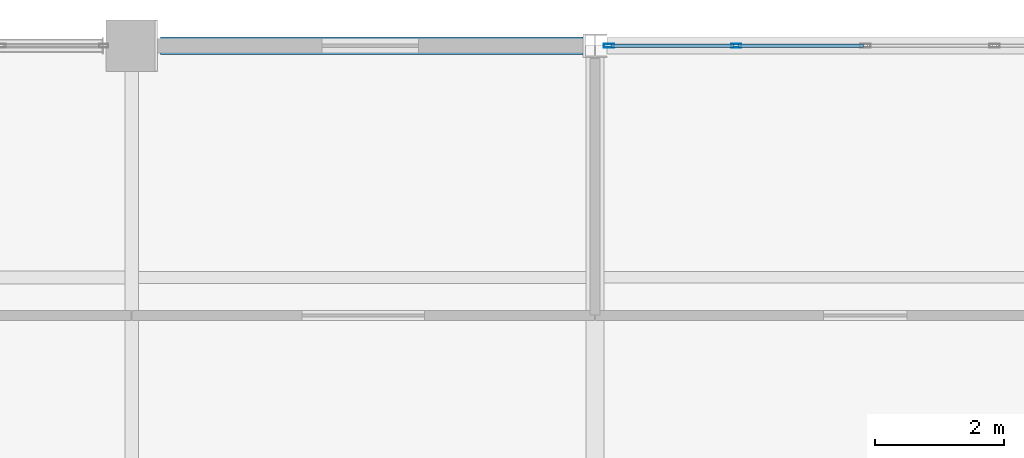
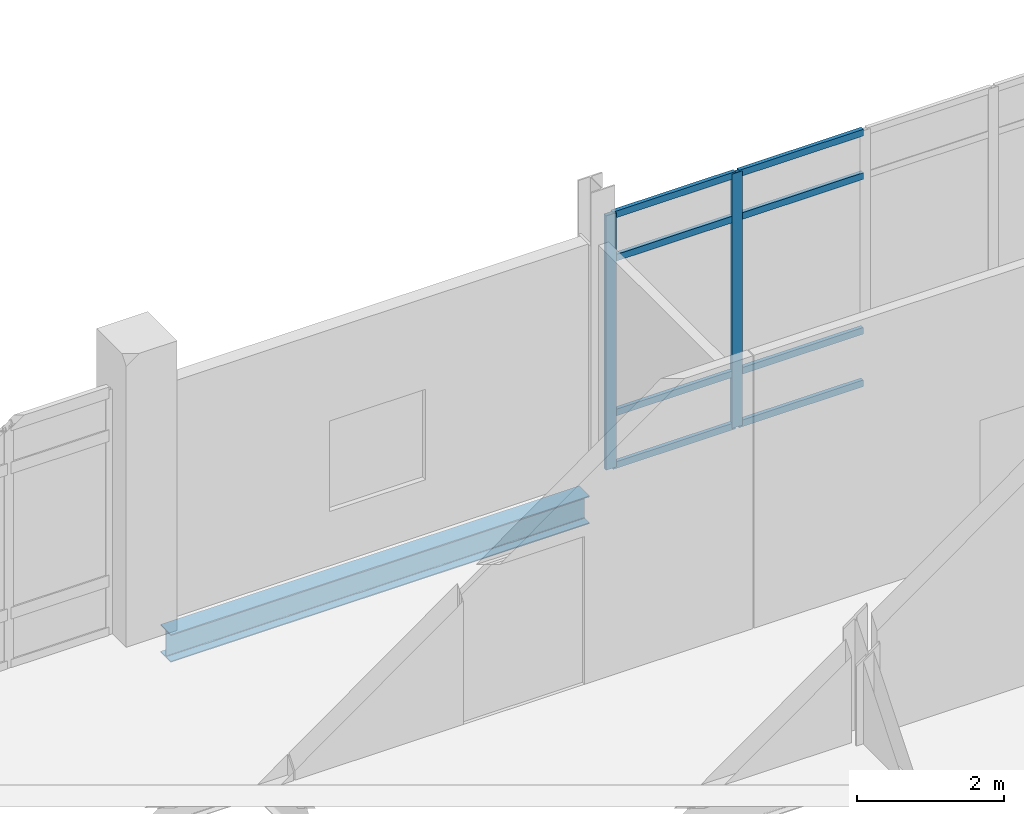
# One storey, part 86 of 186: 10 members, 1 beam, 1 element without a shape of its own.
"""IFC4 building model written with IfcOpenShell, lengths in metres."""

import ifcopenshell
import ifcopenshell.guid

model = None  # the IFC model being written
_history = None  # IfcOwnerHistory: only IFC2X3 demands one
_inside = {}  # id of a spatial element -> (the spatial element, [elements in it])
_under = {}  # id of a project, library or spatial element -> (it, [spatial elements below it])
_declared = {}  # id of a project -> (the project, [libraries it declares])
_typed = {}  # id of a type object -> (the type object, [elements of that type])
_made_of = {}  # id of a material, layer set ... -> (it, [elements and type objects made of it])


def new_model(schema):
    """Start an empty IFC model of exactly this schema.

    Asked for "IFC4X3", IfcOpenShell would pick the latest addendum, in which some entities
    have other attributes; the version numbers below select the first issue.
    IFC2X3 requires an IfcOwnerHistory on every rooted entity: one is made here for all.
    """
    global model, _history
    if schema == "IFC4X3":
        model = ifcopenshell.file(schema_version=(4, 3, 0, 0))
    else:
        model = ifcopenshell.file(schema=schema)
    _inside.clear()
    _under.clear()
    _declared.clear()
    _typed.clear()
    _made_of.clear()
    _history = None
    if model.schema == "IFC2X3":
        org = make("IfcOrganization", Name="unknown")
        user = make(
            "IfcPersonAndOrganization",
            ThePerson=make("IfcPerson", FamilyName="unknown"),
            TheOrganization=org,
        )
        app = make(
            "IfcApplication",
            ApplicationDeveloper=org,
            Version="unknown",
            ApplicationFullName="unknown",
            ApplicationIdentifier="unknown",
        )
        _history = make(
            "IfcOwnerHistory",
            OwningUser=user,
            OwningApplication=app,
            ChangeAction="ADDED",
            CreationDate=0,
        )
    return model


def make(cls, **values):
    """One entity of the class cls with the attributes given. An attribute that is None is left unset."""
    return model.create_entity(
        cls, **{name: value for name, value in values.items() if value is not None}
    )


def rooted(cls, **values):
    """An entity with a GlobalId (a new one), such as an element, a storey or a relation."""
    return make(cls, GlobalId=ifcopenshell.guid.new(), OwnerHistory=_history, **values)


def si_unit(unit_type, name, prefix=None):
    """IfcSIUnit, for example si_unit("LENGTHUNIT", "METRE", prefix="MILLI")."""
    return make("IfcSIUnit", UnitType=unit_type, Prefix=prefix, Name=name)


def assignment(units):
    """IfcUnitAssignment: the units of a project."""
    return None if units is None else make("IfcUnitAssignment", Units=units)


def point(xyz):
    """IfcCartesianPoint."""
    return None if xyz is None else make("IfcCartesianPoint", Coordinates=xyz)


def direction(xyz):
    """IfcDirection."""
    return None if xyz is None else make("IfcDirection", DirectionRatios=xyz)


def frame(location, z_axis=None, x_axis=None):
    """IfcAxis2Placement3D, a coordinate frame: its origin and axes. An axis left out is left unset."""
    return make(
        "IfcAxis2Placement3D",
        Location=point(location),
        Axis=direction(z_axis),
        RefDirection=direction(x_axis),
    )


def frame_2d(location, x_axis=None):
    """IfcAxis2Placement2D, a coordinate frame in the plane: its origin and x axis."""
    return make(
        "IfcAxis2Placement2D", Location=point(location), RefDirection=direction(x_axis)
    )


def origin():
    """The frame at (0, 0, 0) with its axes left unset."""
    return frame((0.0, 0.0, 0.0))


def origin_2d():
    """The frame at (0, 0) in the plane with its x axis left unset."""
    return frame_2d((0.0, 0.0))


def place(relative_to, where):
    """IfcLocalPlacement: puts the frame where relative to a parent placement (None: the world)."""
    return make(
        "IfcLocalPlacement", PlacementRelTo=relative_to, RelativePlacement=where
    )


def context(
    kind, dimensions, precision=None, world=None, true_north=None, identifier=None
):
    """IfcGeometricRepresentationContext, for example the 3D "Model" context."""
    return make(
        "IfcGeometricRepresentationContext",
        ContextIdentifier=identifier,
        ContextType=kind,
        CoordinateSpaceDimension=dimensions,
        Precision=precision,
        WorldCoordinateSystem=world,
        TrueNorth=true_north,
    )


def subcontext(parent, identifier, kind, view, scale=None):
    """IfcGeometricRepresentationSubContext, for example "Body" below "Model"."""
    return make(
        "IfcGeometricRepresentationSubContext",
        ContextIdentifier=identifier,
        ContextType=kind,
        ParentContext=parent,
        TargetScale=scale,
        TargetView=view,
    )


def project(units=None, contexts=None):
    """IfcProject with its units and contexts."""
    return rooted(
        "IfcProject",
        Name="project",
        RepresentationContexts=contexts,
        UnitsInContext=assignment(units),
    )


def spatial(cls, under=None, at=None, **own):
    """A site, building, storey or space (cls), placed at a placement, below another one or the project."""
    s = rooted(cls, ObjectPlacement=at, **own)
    if under is not None:
        _under.setdefault(under.id(), (under, []))[1].append(s)
    return s


def profile(cls, at=None, kind="AREA", **sizes):
    """A parametric profile (cls). Its sizes go by their IFC names, for example OverallWidth=200.0."""
    return make(cls, ProfileType=kind, Position=at, **sizes)


def hollow_rectangle(**sizes):
    """IfcRectangleHollowProfileDef."""
    return profile("IfcRectangleHollowProfileDef", **sizes)


def i_section(**sizes):
    """IfcIShapeProfileDef."""
    return profile("IfcIShapeProfileDef", **sizes)


def extrude(swept, where, along, depth):
    """IfcExtrudedAreaSolid: the profile swept, set in the frame where, extruded along a direction by depth."""
    return make(
        "IfcExtrudedAreaSolid",
        SweptArea=swept,
        Position=where,
        ExtrudedDirection=direction(along),
        Depth=depth,
    )


def shape(context_of_items, identifier, shape_type, items):
    """IfcShapeRepresentation: the items that make up one representation, for example the "Body"."""
    return make(
        "IfcShapeRepresentation",
        ContextOfItems=context_of_items,
        RepresentationIdentifier=identifier,
        RepresentationType=shape_type,
        Items=items,
    )


def material(Name=None, Category=None):
    """IfcMaterial."""
    return make("IfcMaterial", Name=Name, Category=Category)


def layer(
    of_material, thickness, ventilated=None, Name=None, Category=None, Priority=None
):
    """IfcMaterialLayer: one layer of a wall or slab, of a material (None: an air gap)."""
    return make(
        "IfcMaterialLayer",
        Material=of_material,
        LayerThickness=thickness,
        IsVentilated=ventilated,
        Name=Name,
        Category=Category,
        Priority=Priority,
    )


def layer_set(layers, Name=None):
    """IfcMaterialLayerSet."""
    return make("IfcMaterialLayerSet", MaterialLayers=layers, LayerSetName=Name)


def material_profile(
    of_material, cross_section, Name=None, Category=None, Priority=None
):
    """IfcMaterialProfile: a cross section and its material."""
    return make(
        "IfcMaterialProfile",
        Name=Name,
        Material=of_material,
        Profile=cross_section,
        Priority=Priority,
        Category=Category,
    )


def profile_set(profiles, Name=None, composite=None):
    """IfcMaterialProfileSet."""
    return make(
        "IfcMaterialProfileSet",
        Name=Name,
        MaterialProfiles=profiles,
        CompositeProfile=composite,
    )


def made_of(thing, what):
    """Note that an element or type object is made of a material, layer set ...; save() writes the relation."""
    if what is not None:
        _made_of.setdefault(what.id(), (what, []))[1].append(thing)
    return thing


def type_object(cls, material=None, **own):
    """A type object (cls), such as IfcWallType, which elements share."""
    return made_of(rooted(cls, **own), material)


def element(
    cls,
    number,
    at=None,
    inside=None,
    cuts=None,
    type_object=None,
    material=None,
    context=None,
    identifier="Body",
    shape_type=None,
    held_by="IfcProductDefinitionShape",
    body=None,
    shapes=None,
    **own,
):
    """One element of the class cls, such as IfcWall. Its Tag is "e" and its number.

    at: its placement. inside: the storey or other place that contains it. cuts: it is an
    opening in that element (IfcRelVoidsElement). A single representation is given by context,
    identifier, shape_type and body (its items); several are given by shapes. held_by: the class
    of the entity that holds the representations. save() writes the other relations.
    """
    e = rooted(cls, Tag="e%d" % number, ObjectPlacement=at, **own)
    if body is not None:
        shapes = [shape(context, identifier, shape_type, body)]
    if shapes is not None:
        e.Representation = make(held_by, Representations=shapes)
    if inside is not None:
        _inside.setdefault(inside.id(), (inside, []))[1].append(e)
    if cuts is not None:
        rooted(
            "IfcRelVoidsElement", RelatingBuildingElement=cuts, RelatedOpeningElement=e
        )
    if type_object is not None:
        _typed.setdefault(type_object.id(), (type_object, []))[1].append(e)
    return made_of(e, material)


def aggregate(whole, parts):
    """IfcRelAggregates: a whole, such as a stair, and the parts it consists of."""
    return rooted("IfcRelAggregates", RelatingObject=whole, RelatedObjects=parts)


def save(model, path):
    """Write the relations noted so far, then the file.

    IfcRelAggregates (storeys below a building ...), IfcRelContainedInSpatialStructure (elements
    in a storey), IfcRelDefinesByType, IfcRelAssociatesMaterial and IfcRelDeclares: one each for
    every whole, place, type object, material and project.
    """
    for whole, parts in _under.values():
        aggregate(whole, parts)
    for where, things in _inside.values():
        rooted(
            "IfcRelContainedInSpatialStructure",
            RelatedElements=things,
            RelatingStructure=where,
        )
    for kind, things in _typed.values():
        rooted("IfcRelDefinesByType", RelatedObjects=things, RelatingType=kind)
    for what, things in _made_of.values():
        rooted("IfcRelAssociatesMaterial", RelatedObjects=things, RelatingMaterial=what)
    for by, libraries in _declared.values():
        rooted("IfcRelDeclares", RelatingContext=by, RelatedDefinitions=libraries)
    model.write(path)


model = new_model("IFC4")

# Units and contexts
model_context = context("Model", 3, precision=1e-05, world=origin(), true_north=direction((0.0, 1.0)))
body_context = subcontext(model_context, "Body", "Model", "MODEL_VIEW")
ifc_project = project(units=[si_unit("LENGTHUNIT", "METRE"), si_unit("AREAUNIT", "SQUARE_METRE"), si_unit("VOLUMEUNIT", "CUBIC_METRE"), si_unit("PLANEANGLEUNIT", "RADIAN"), si_unit("MASSUNIT", "GRAM", prefix="KILO")], contexts=[model_context])

# Site, building, storey
site_placement = place(None, origin())
site = spatial("IfcSite", under=ifc_project, at=site_placement, CompositionType="ELEMENT")
building_placement = place(site_placement, origin())
building = spatial("IfcBuilding", under=site, at=building_placement, Name="Calvrana Isthmian Art Gallery", CompositionType="ELEMENT")
storey_placement = place(building_placement, frame((0.0, 0.0, 5.39990234375)))
storey = spatial("IfcBuildingStorey", under=building, at=storey_placement, Name="L01", CompositionType="ELEMENT", Elevation=5.39990234375)

# Beam
ifc_material_1 = material(Name="Steel ASTM A992 Gr 50", Category="steel")
ifc_material_profile_1 = material_profile(ifc_material_1, i_section(OverallWidth=0.279052734375, OverallDepth=0.4619140625, WebThickness=0.0107421875, FlangeThickness=0.017333984375, FilletRadius=0.02001953125, at=origin_2d()), Name="W18X76")
ifc_profile_set_1 = profile_set([ifc_material_profile_1], Name="Steel ASTM A992 Gr 50")
beam_type = type_object("IfcBeamType", Name="BM-G-W18X76", PredefinedType="BEAM", material=ifc_profile_set_1)
beam_placement = place(storey_placement, frame((14.85009765625, 112.800048828125, -0.475830078125), z_axis=(1.0, 0.0, 0.0), x_axis=(0.0, 1.0, 0.0)))
element("IfcBeam", 1, at=beam_placement, inside=storey, type_object=beam_type, Name="Girder X L01 03-04/P", PredefinedType="BEAM", context=body_context, shape_type="SweptSolid", body=[
    extrude(i_section(OverallWidth=0.279052734375, OverallDepth=0.4619140625, WebThickness=0.0107421875, FlangeThickness=0.017333984375, FilletRadius=0.02001953125, at=origin_2d()), origin(), (0.0, 0.0, 1.0), 6.564453125),
])

# Curtain wall, members
ifc_material_2 = material(Name="Anodized bronze aluminium 6063-T6", Category="aluminium")
ifc_layer = layer(ifc_material_2, 0.179931640625, Name="Anodized bronze aluminium 6063-T6")
ifc_layer_set = layer_set([ifc_layer], Name="Anodized bronze aluminium 6063-T6")
curtain_wall_type = type_object("IfcCurtainWallType", Name="CW-UNIT-080X42", PredefinedType="USERDEFINED", material=ifc_layer_set)
curtain_wall_placement = place(storey_placement, origin())
curtain_wall = element("IfcCurtainWall", 2, at=curtain_wall_placement, inside=storey, type_object=curtain_wall_type, Name="Curtain wall CW-115", ObjectType="UNITISED CURTAIN WALL", PredefinedType="USERDEFINED")
ifc_material_profile_2 = material_profile(ifc_material_2, hollow_rectangle(XDim=0.06005859375, YDim=0.159912109375, WallThickness=0.00390625, at=origin_2d()), Name="CWM60X160")
ifc_profile_set_2 = profile_set([ifc_material_profile_2], Name="Anodized bronze aluminium 6063-T6")
member_type_1 = type_object("IfcMemberType", Name="CWM-CWM60X160", PredefinedType="MULLION", material=ifc_profile_set_2)
member_1_placement = place(storey_placement, frame((21.81640625, 112.800048828125, 0.0), z_axis=(0.0, 0.0, 1.0), x_axis=(0.0, 1.0, 0.0)))
member_1 = element("IfcMember", 3, at=member_1_placement, type_object=member_type_1, Name="CW-115 mullion 1", PredefinedType="MULLION", context=body_context, shape_type="SweptSolid", body=[
    extrude(hollow_rectangle(XDim=0.06005859375, YDim=0.159912109375, WallThickness=0.00390625, at=origin_2d()), origin(), (0.0, 0.0, 1.0), 4.21533203125),
])
member_2_placement = place(storey_placement, frame((23.79345703125, 112.800048828125, 0.0), z_axis=(0.0, 0.0, 1.0), x_axis=(0.0, 1.0, 0.0)))
member_2 = element("IfcMember", 4, at=member_2_placement, type_object=member_type_1, Name="CW-115 mullion 2", PredefinedType="MULLION", context=body_context, shape_type="SweptSolid", body=[
    extrude(hollow_rectangle(XDim=0.06005859375, YDim=0.159912109375, WallThickness=0.00390625, at=origin_2d()), origin(), (0.0, 0.0, 1.0), 4.21533203125),
])
ifc_material_profile_3 = material_profile(ifc_material_2, hollow_rectangle(XDim=0.06005859375, YDim=0.110107421875, WallThickness=0.00341796875, at=origin_2d()), Name="CWT60X110")
ifc_profile_set_3 = profile_set([ifc_material_profile_3], Name="Anodized bronze aluminium 6063-T6")
member_type_2 = type_object("IfcMemberType", Name="CWT-CWT60X110", PredefinedType="USERDEFINED", material=ifc_profile_set_3)
member_3_placement = place(storey_placement, frame((21.846435546875, 112.800048828125, 0.030029296875), z_axis=(1.0, 0.0, 0.0), x_axis=(0.0, 1.0, 0.0)))
member_3 = element("IfcMember", 5, at=member_3_placement, type_object=member_type_2, Name="CW-115 transom 1.1", ObjectType="TRANSOM", PredefinedType="USERDEFINED", context=body_context, shape_type="SweptSolid", body=[
    extrude(hollow_rectangle(XDim=0.06005859375, YDim=0.110107421875, WallThickness=0.00341796875, at=origin_2d()), origin(), (0.0, 0.0, 1.0), 1.9169921875),
])
member_4_placement = place(storey_placement, frame((21.846435546875, 112.800048828125, 0.900146484375), z_axis=(1.0, 0.0, 0.0), x_axis=(0.0, 1.0, 0.0)))
member_4 = element("IfcMember", 6, at=member_4_placement, type_object=member_type_2, Name="CW-115 transom 1.2", ObjectType="TRANSOM", PredefinedType="USERDEFINED", context=body_context, shape_type="SweptSolid", body=[
    extrude(hollow_rectangle(XDim=0.06005859375, YDim=0.110107421875, WallThickness=0.00341796875, at=origin_2d()), origin(), (0.0, 0.0, 1.0), 1.9169921875),
])
member_5_placement = place(storey_placement, frame((21.846435546875, 112.800048828125, 3.46533203125), z_axis=(1.0, 0.0, 0.0), x_axis=(0.0, 1.0, 0.0)))
member_5 = element("IfcMember", 7, at=member_5_placement, type_object=member_type_2, Name="CW-115 transom 1.3", ObjectType="TRANSOM", PredefinedType="USERDEFINED", context=body_context, shape_type="SweptSolid", body=[
    extrude(hollow_rectangle(XDim=0.06005859375, YDim=0.110107421875, WallThickness=0.00341796875, at=origin_2d()), origin(), (0.0, 0.0, 1.0), 1.9169921875),
])
member_6_placement = place(storey_placement, frame((21.846435546875, 112.800048828125, 4.185302734375), z_axis=(1.0, 0.0, 0.0), x_axis=(0.0, 1.0, 0.0)))
member_6 = element("IfcMember", 8, at=member_6_placement, type_object=member_type_2, Name="CW-115 transom 1.4", ObjectType="TRANSOM", PredefinedType="USERDEFINED", context=body_context, shape_type="SweptSolid", body=[
    extrude(hollow_rectangle(XDim=0.06005859375, YDim=0.110107421875, WallThickness=0.00341796875, at=origin_2d()), origin(), (0.0, 0.0, 1.0), 1.9169921875),
])
member_7_placement = place(storey_placement, frame((23.823486328125, 112.800048828125, 0.030029296875), z_axis=(1.0, 0.0, 0.0), x_axis=(0.0, 1.0, 0.0)))
member_7 = element("IfcMember", 9, at=member_7_placement, type_object=member_type_2, Name="CW-115 transom 2.1", ObjectType="TRANSOM", PredefinedType="USERDEFINED", context=body_context, shape_type="SweptSolid", body=[
    extrude(hollow_rectangle(XDim=0.06005859375, YDim=0.110107421875, WallThickness=0.00341796875, at=origin_2d()), origin(), (0.0, 0.0, 1.0), 1.947021484375),
])
member_8_placement = place(storey_placement, frame((23.823486328125, 112.800048828125, 0.900146484375), z_axis=(1.0, 0.0, 0.0), x_axis=(0.0, 1.0, 0.0)))
member_8 = element("IfcMember", 10, at=member_8_placement, type_object=member_type_2, Name="CW-115 transom 2.2", ObjectType="TRANSOM", PredefinedType="USERDEFINED", context=body_context, shape_type="SweptSolid", body=[
    extrude(hollow_rectangle(XDim=0.06005859375, YDim=0.110107421875, WallThickness=0.00341796875, at=origin_2d()), origin(), (0.0, 0.0, 1.0), 1.947021484375),
])
member_9_placement = place(storey_placement, frame((23.823486328125, 112.800048828125, 3.46533203125), z_axis=(1.0, 0.0, 0.0), x_axis=(0.0, 1.0, 0.0)))
member_9 = element("IfcMember", 11, at=member_9_placement, type_object=member_type_2, Name="CW-115 transom 2.3", ObjectType="TRANSOM", PredefinedType="USERDEFINED", context=body_context, shape_type="SweptSolid", body=[
    extrude(hollow_rectangle(XDim=0.06005859375, YDim=0.110107421875, WallThickness=0.00341796875, at=origin_2d()), origin(), (0.0, 0.0, 1.0), 1.947021484375),
])
member_10_placement = place(storey_placement, frame((23.823486328125, 112.800048828125, 4.185302734375), z_axis=(1.0, 0.0, 0.0), x_axis=(0.0, 1.0, 0.0)))
member_10 = element("IfcMember", 12, at=member_10_placement, type_object=member_type_2, Name="CW-115 transom 2.4", ObjectType="TRANSOM", PredefinedType="USERDEFINED", context=body_context, shape_type="SweptSolid", body=[
    extrude(hollow_rectangle(XDim=0.06005859375, YDim=0.110107421875, WallThickness=0.00341796875, at=origin_2d()), origin(), (0.0, 0.0, 1.0), 1.947021484375),
])
aggregate(curtain_wall, [member_1, member_2, member_3, member_4, member_5, member_6, member_7, member_8, member_9, member_10])

save(model, "model.ifc")
